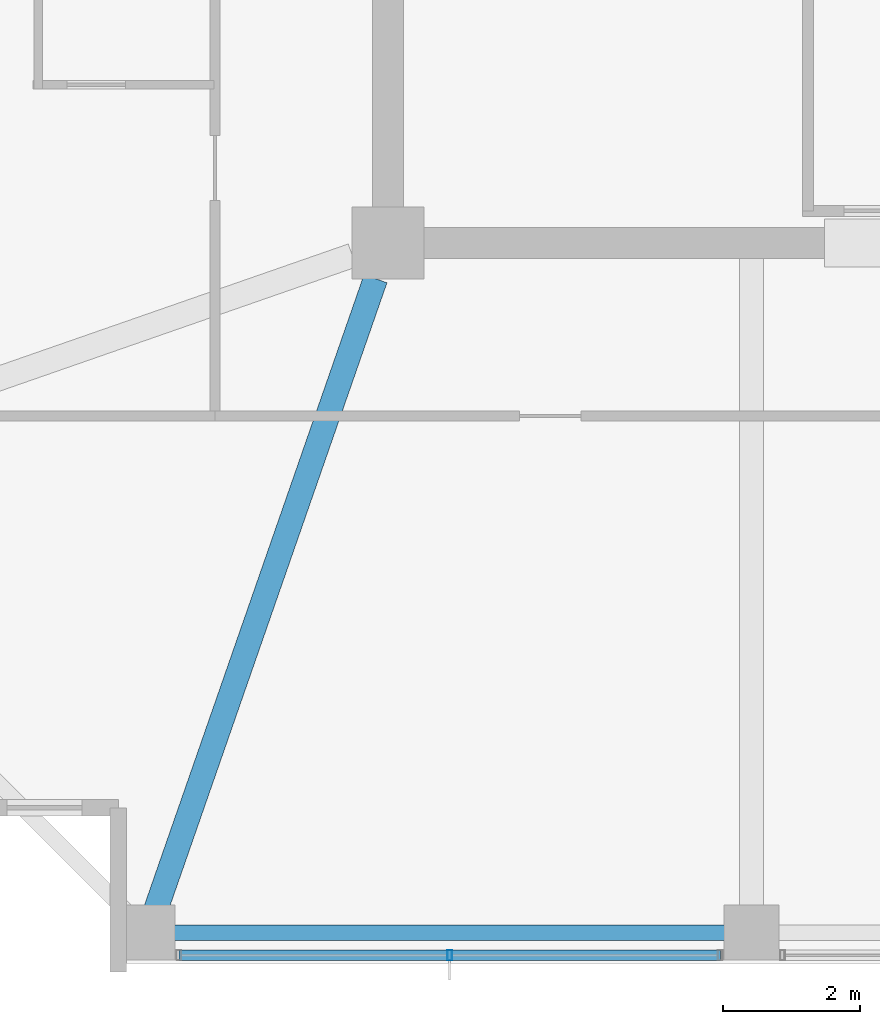
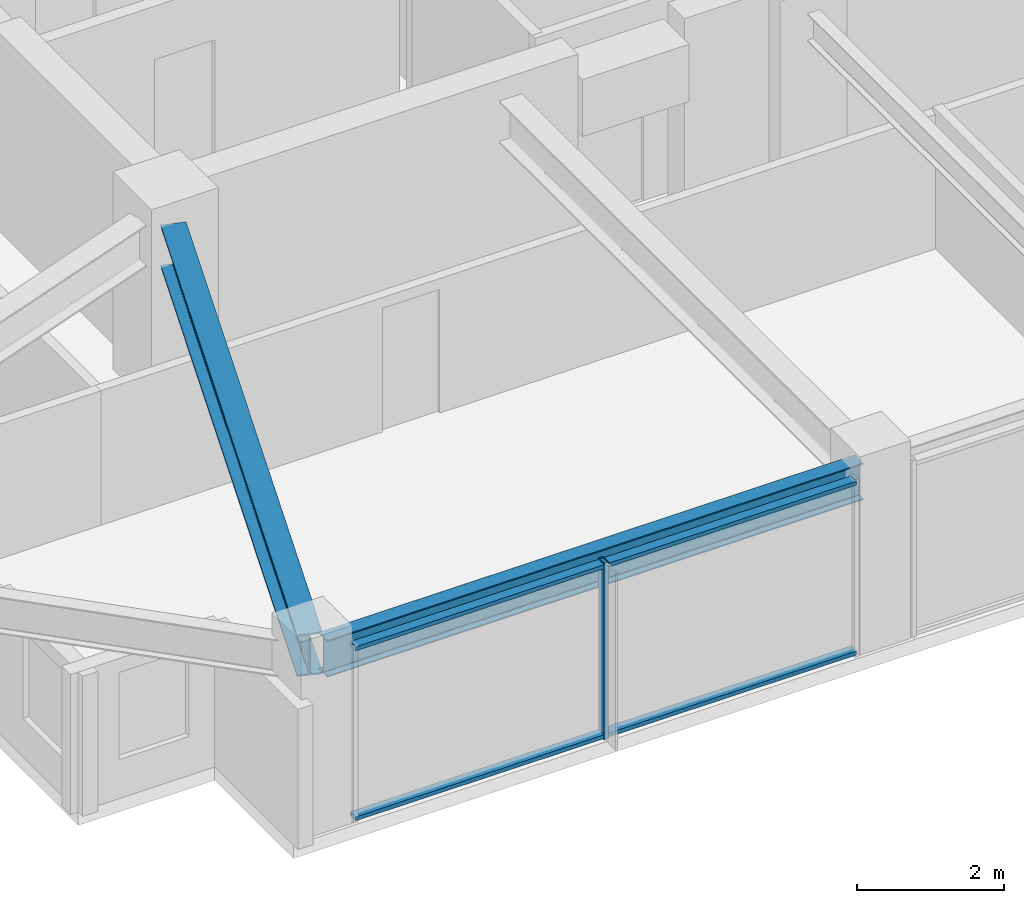
# One storey, part 3 of 34: 3 members, 2 beams, 1 element without a shape of its own.
"""IFC4 building model written with IfcOpenShell, lengths in metres."""

from ifc_helpers import new_model, si_unit, direction, frame, origin, origin_2d, place, context, subcontext, project, spatial, hollow_rectangle, i_section, extrude, material, material_profile, profile_set, type_object, element, aggregate, save


model = new_model("IFC4")

# Units and contexts
model_context = context("Model", 3, precision=1e-05, world=origin(), true_north=direction((0.0, 1.0)))
body_context = subcontext(model_context, "Body", "Model", "MODEL_VIEW")
ifc_project = project(units=[si_unit("LENGTHUNIT", "METRE"), si_unit("AREAUNIT", "SQUARE_METRE"), si_unit("VOLUMEUNIT", "CUBIC_METRE"), si_unit("PLANEANGLEUNIT", "RADIAN"), si_unit("MASSUNIT", "GRAM", prefix="KILO")], contexts=[model_context])

# Site, building, storey
site_placement = place(None, origin())
site = spatial("IfcSite", under=ifc_project, at=site_placement, CompositionType="ELEMENT")
building_placement = place(site_placement, origin())
building = spatial("IfcBuilding", under=site, at=building_placement, Name="Kolvaren Belvedere", CompositionType="ELEMENT")
storey_placement = place(building_placement, frame((0.0, 0.0, 229.5)))
storey = spatial("IfcBuildingStorey", under=building, at=storey_placement, Name="L67", CompositionType="ELEMENT", Elevation=229.5)

# Beams
ifc_material_1 = material(Name="Structural steel ASTM A992 Grade 50", Category="steel")
ifc_material_profile_1 = material_profile(ifc_material_1, i_section(OverallWidth=0.35498046875, OverallDepth=0.696044921875, WebThickness=0.015380859375, FlangeThickness=0.02490234375, FilletRadius=0.02197265625, at=origin_2d()), Name="W27X146")
ifc_profile_set_1 = profile_set([ifc_material_profile_1], Name="Structural steel ASTM A992 Grade 50")
beam_type_1 = type_object("IfcBeamType", Name="BM-GIRD-W27X146", PredefinedType="BEAM", material=ifc_profile_set_1)
beam_1_placement = place(storey_placement, frame((-10.080810546875, -10.41943359375, 2.60205078125), z_axis=(-0.328898147971, -0.944365399758, 0.0), x_axis=(0.944365399758, -0.328898147971, 0.0)))
element("IfcBeam", 1, at=beam_1_placement, inside=storey, type_object=beam_type_1, Name="L67 Corner Core-to-Perimeter Girder CC1-S1", PredefinedType="BEAM", context=body_context, shape_type="SweptSolid", body=[
    extrude(i_section(OverallWidth=0.35498046875, OverallDepth=0.696044921875, WebThickness=0.015380859375, FlangeThickness=0.02490234375, FilletRadius=0.02197265625, at=origin_2d()), origin(), (0.0, 0.0, 1.0), 9.931884765625),
])
ifc_material_2 = material(Name="Structural steel ASTM A992 Grade 50", Category="steel")
ifc_material_profile_2 = material_profile(ifc_material_2, i_section(OverallWidth=0.22900390625, OverallDepth=0.612060546875, WebThickness=0.011962890625, FlangeThickness=0.01953125, FilletRadius=0.01806640625, at=origin_2d()), Name="W24X84")
ifc_profile_set_2 = profile_set([ifc_material_profile_2], Name="Structural steel ASTM A992 Grade 50")
beam_type_2 = type_object("IfcBeamType", Name="BM-SPAN-W24X84", PredefinedType="SPANDREL", material=ifc_profile_set_2)
beam_2_placement = place(storey_placement, frame((-13.219970703125, -19.949951171875, 2.64404296875), z_axis=(1.0, 0.0, 0.0), x_axis=(0.0, 1.0, 0.0)))
element("IfcBeam", 2, at=beam_2_placement, inside=storey, type_object=beam_type_2, Name="L67 Perimeter Spandrel S1-S2", PredefinedType="SPANDREL", context=body_context, shape_type="SweptSolid", body=[
    extrude(i_section(OverallWidth=0.22900390625, OverallDepth=0.612060546875, WebThickness=0.011962890625, FlangeThickness=0.01953125, FilletRadius=0.01806640625, at=origin_2d()), origin(), (0.0, 0.0, 1.0), 8.43994140625),
])

# Curtain wall, members
ifc_material_3 = material(Name="Anodised pale-metal aluminium AA 6063-T6", Category="aluminium")
curtain_wall_type = type_object("IfcCurtainWallType", Name="CW-Z5-HIGH", PredefinedType="NOTDEFINED", material=ifc_material_3)
curtain_wall_placement = place(storey_placement, origin())
curtain_wall = element("IfcCurtainWall", 3, at=curtain_wall_placement, inside=storey, type_object=curtain_wall_type, Name="L67 Unitised Curtain Wall FCW-L67-S-B3", PredefinedType="NOTDEFINED")
ifc_material_4 = material(Name="Anodised pale-metal aluminium AA 6063-T6", Category="aluminium")
ifc_material_profile_3 = material_profile(ifc_material_4, hollow_rectangle(XDim=0.070068359375, YDim=0.14990234375, WallThickness=0.004150390625, at=origin_2d()), Name="ALU-MUL-150X70")
ifc_profile_set_3 = profile_set([ifc_material_profile_3], Name="Anodised pale-metal aluminium AA 6063-T6")
member_type_1 = type_object("IfcMemberType", Name="CW-MUL-150", PredefinedType="MULLION", material=ifc_profile_set_3)
member_1_placement = place(storey_placement, frame((-9.0, -20.280029296875, 0.0), z_axis=(0.0, 0.0, 1.0), x_axis=(1.0, 0.0, 0.0)))
member_1 = element("IfcMember", 4, at=member_1_placement, type_object=member_type_1, Name="FCW-L67-S-B3 Unitised Mullion 2", PredefinedType="MULLION", context=body_context, shape_type="SweptSolid", body=[
    extrude(hollow_rectangle(XDim=0.070068359375, YDim=0.14990234375, WallThickness=0.004150390625, at=origin_2d()), origin(), (0.0, 0.0, 1.0), 2.949951171875),
])
ifc_material_5 = material(Name="Anodised pale-metal aluminium AA 6063-T6", Category="aluminium")
ifc_material_profile_4 = material_profile(ifc_material_5, hollow_rectangle(XDim=0.06494140625, YDim=0.14990234375, WallThickness=0.00390625, at=origin_2d()), Name="ALU-TRN-150X65")
ifc_profile_set_4 = profile_set([ifc_material_profile_4], Name="Anodised pale-metal aluminium AA 6063-T6")
member_type_2 = type_object("IfcMemberType", Name="CW-TRN-150", PredefinedType="USERDEFINED", material=ifc_profile_set_4)
member_2_placement = place(storey_placement, frame((-5.054931640625, -20.280029296875, 0.06005859375), z_axis=(-1.0, 0.0, 0.0), x_axis=(0.0, 0.0, 1.0)))
member_2 = element("IfcMember", 5, at=member_2_placement, type_object=member_type_2, Name="FCW-L67-S-B3 Sill Transom", ObjectType="TRANSOM", PredefinedType="USERDEFINED", context=body_context, shape_type="SweptSolid", body=[
    extrude(hollow_rectangle(XDim=0.06494140625, YDim=0.14990234375, WallThickness=0.00390625, at=origin_2d()), origin(), (0.0, 0.0, 1.0), 7.89013671875),
])
member_3_placement = place(storey_placement, frame((-5.054931640625, -20.280029296875, 2.889892578125), z_axis=(-1.0, 0.0, 0.0), x_axis=(0.0, 0.0, 1.0)))
member_3 = element("IfcMember", 6, at=member_3_placement, type_object=member_type_2, Name="FCW-L67-S-B3 Head Transom", ObjectType="TRANSOM", PredefinedType="USERDEFINED", context=body_context, shape_type="SweptSolid", body=[
    extrude(hollow_rectangle(XDim=0.06494140625, YDim=0.14990234375, WallThickness=0.00390625, at=origin_2d()), origin(), (0.0, 0.0, 1.0), 7.89013671875),
])
aggregate(curtain_wall, [member_1, member_2, member_3])

save(model, "model.ifc")
